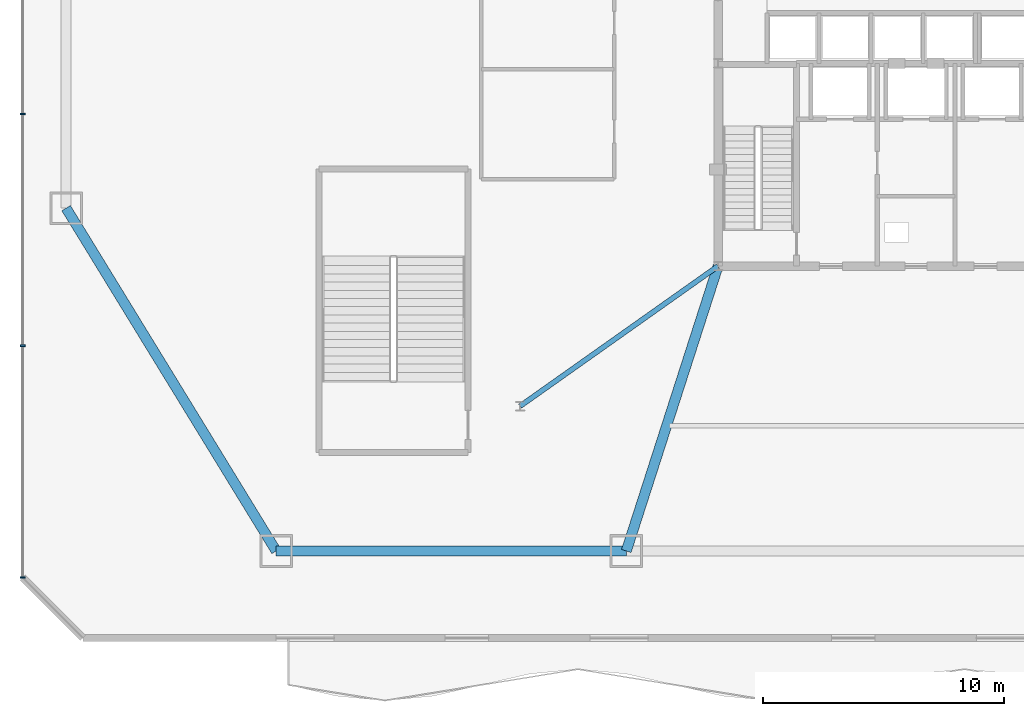
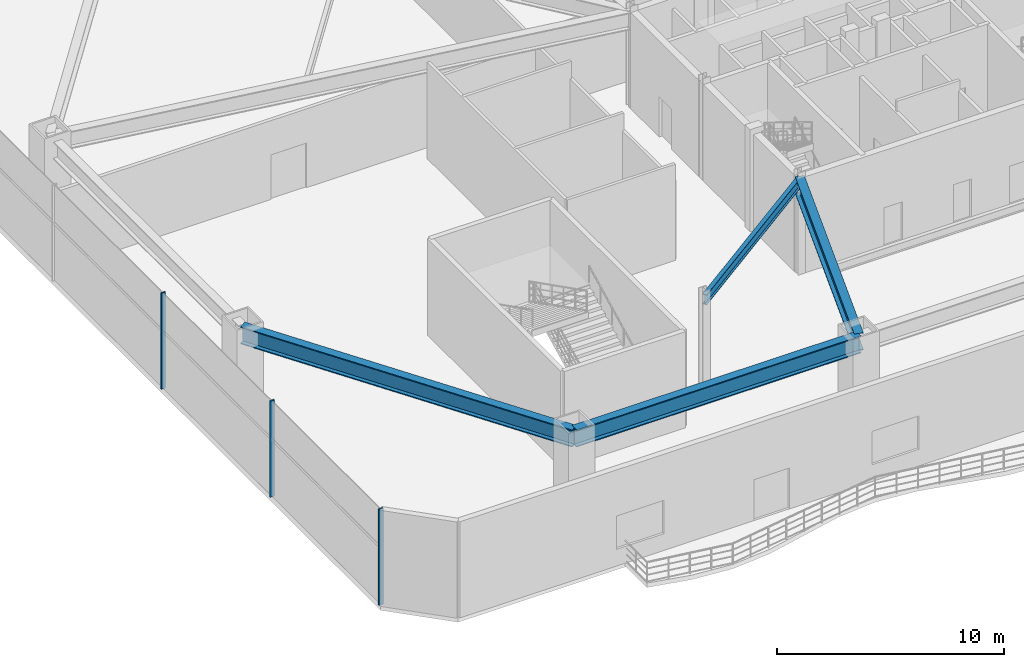
# One storey, part 5 of 20: 4 beams, 3 members, 1 element without a shape of its own.
"""IFC4 building model written with IfcOpenShell, lengths in metres."""

from ifc_helpers import new_model, si_unit, direction, frame, origin, origin_2d, place, context, subcontext, project, spatial, rectangle, i_section, extrude, source, transform, mapped, material, layer, layer_set, material_profile, profile_set, type_object, type_shapes, element, aggregate, save


model = new_model("IFC4")

# Units and contexts
model_context = context("Model", 3, precision=1e-05, world=origin(), true_north=direction((0.0, 1.0)))
body_context = subcontext(model_context, "Body", "Model", "MODEL_VIEW")
ifc_project = project(units=[si_unit("LENGTHUNIT", "METRE"), si_unit("AREAUNIT", "SQUARE_METRE"), si_unit("VOLUMEUNIT", "CUBIC_METRE"), si_unit("PLANEANGLEUNIT", "RADIAN"), si_unit("MASSUNIT", "GRAM", prefix="KILO")], contexts=[model_context])

# Site, building, storey
site_placement = place(None, origin())
site = spatial("IfcSite", under=ifc_project, at=site_placement, CompositionType="ELEMENT")
building_placement = place(site_placement, origin())
building = spatial("IfcBuilding", under=site, at=building_placement, Name="Varakhsha Concourse Tower", CompositionType="ELEMENT")
storey_placement = place(building_placement, frame((0.0, 0.0, 11.0)))
storey = spatial("IfcBuildingStorey", under=building, at=storey_placement, Name="L03", CompositionType="ELEMENT", Elevation=11.0)

# Beams
ifc_material_1 = material(Name="Structural Steel ASTM A992 Grade 50", Category="steel")
ifc_material_profile_1 = material_profile(ifc_material_1, i_section(OverallWidth=0.41796875, OverallDepth=0.927001953125, WebThickness=0.030029296875, FlangeThickness=0.051025390625, at=origin_2d()), Name="W36X231")
ifc_profile_set_1 = profile_set([ifc_material_profile_1], Name="Structural Steel ASTM A992 Grade 50")
beam_type_1 = type_object("IfcBeamType", Name="BM-HALL-W36X231", PredefinedType="USERDEFINED", material=ifc_profile_set_1)
beam_1_placement = place(storey_placement, frame((13.5, 4.60009765625, 4.716552734375), z_axis=(1.0, 0.0, 0.0), x_axis=(0.0, 1.0, 0.0)))
element("IfcBeam", 1, at=beam_1_placement, inside=storey, type_object=beam_type_1, Name="BM-PRING-L03-01", ObjectType="GIRDER", PredefinedType="USERDEFINED", context=body_context, shape_type="SweptSolid", body=[
    extrude(i_section(OverallWidth=0.41796875, OverallDepth=0.927001953125, WebThickness=0.030029296875, FlangeThickness=0.051025390625, at=origin_2d()), origin(), (0.0, 0.0, 1.0), 14.5),
])
beam_2_placement = place(storey_placement, frame((4.800048828125, 18.800048828125, 4.716552734375), z_axis=(0.522420415639, -0.852688049244, 0.0), x_axis=(0.852688049244, 0.522420415639, 0.0)))
element("IfcBeam", 2, at=beam_2_placement, inside=storey, type_object=beam_type_1, Name="BM-PRING-L03-12", ObjectType="GIRDER", PredefinedType="USERDEFINED", context=body_context, shape_type="SweptSolid", body=[
    extrude(i_section(OverallWidth=0.41796875, OverallDepth=0.927001953125, WebThickness=0.030029296875, FlangeThickness=0.051025390625, at=origin_2d()), origin(), (0.0, 0.0, 1.0), 16.653076171875),
])
beam_3_placement = place(storey_placement, frame((31.800048828125, 16.39990234375, 4.716552734375), z_axis=(-0.306539531823, -0.951857928175, 0.0), x_axis=(0.951857928175, -0.306539531823, 0.0)))
element("IfcBeam", 3, at=beam_3_placement, inside=storey, type_object=beam_type_1, Name="BM-PRAD-L03-02", ObjectType="GIRDER", PredefinedType="USERDEFINED", context=body_context, shape_type="SweptSolid", body=[
    extrude(i_section(OverallWidth=0.41796875, OverallDepth=0.927001953125, WebThickness=0.030029296875, FlangeThickness=0.051025390625, at=origin_2d()), origin(), (0.0, 0.0, 1.0), 12.396484375),
])
ifc_material_profile_2 = material_profile(ifc_material_1, i_section(OverallWidth=0.2109375, OverallDepth=0.5390625, WebThickness=0.011962890625, FlangeThickness=0.01904296875, at=origin_2d()), Name="W21X73")
ifc_profile_set_2 = profile_set([ifc_material_profile_2], Name="Structural Steel ASTM A992 Grade 50")
beam_type_2 = type_object("IfcBeamType", Name="BM-RAD-W21X73", PredefinedType="BEAM", material=ifc_profile_set_2)
beam_4_placement = place(storey_placement, frame((31.800048828125, 16.39990234375, 4.910400390625), z_axis=(-0.816423186202, -0.577454051014, 0.0), x_axis=(0.577454051014, -0.816423186202, 0.0)))
element("IfcBeam", 4, at=beam_4_placement, inside=storey, type_object=beam_type_2, Name="BM-CORE-L03-SSW", PredefinedType="BEAM", context=body_context, shape_type="SweptSolid", body=[
    extrude(i_section(OverallWidth=0.2109375, OverallDepth=0.5390625, WebThickness=0.011962890625, FlangeThickness=0.01904296875, at=origin_2d()), origin(), (0.0, 0.0, 1.0), 10.043701171875),
])

# Curtain wall, members
ifc_material_2 = material(Name="Anodised Bronze Architectural Aluminium AA 6063-T6", Category="aluminium")
ifc_layer = layer(ifc_material_2, 0.239990234375, Name="CW-SYS-01")
ifc_layer_set = layer_set([ifc_layer], Name="Anodised Bronze Architectural Aluminium AA 6063-T6")
curtain_wall_type = type_object("IfcCurtainWallType", Name="CW-SYS-01", PredefinedType="NOTDEFINED", material=ifc_layer_set)
curtain_wall_placement = place(storey_placement, origin())
curtain_wall = element("IfcCurtainWall", 5, at=curtain_wall_placement, inside=storey, type_object=curtain_wall_type, Name="L03 Podium Curtain Wall 07", PredefinedType="NOTDEFINED")
ifc_material_profile_3 = material_profile(ifc_material_2, rectangle(XDim=0.074951171875, YDim=0.219970703125, at=origin_2d()), Name="CWM-220X75")
ifc_profile_set_3 = profile_set([ifc_material_profile_3], Name="Anodised Bronze Architectural Aluminium AA 6063-T6")
member_type = type_object("IfcMemberType", Name="CWM-220X75", PredefinedType="MULLION", material=ifc_profile_set_3)
shared_shape = source(origin(), body_context, "Body", "SweptSolid", [
    extrude(rectangle(XDim=0.074951171875, YDim=0.219970703125, at=origin_2d()), origin(), (0.0, 0.0, 1.0), 5.179931640625),
])
type_shapes(member_type, [shared_shape])
member_1_placement = place(storey_placement, frame((3.0, 22.699951171875, 0.0), z_axis=(0.0, 0.0, 1.0), x_axis=(0.0, -1.0, 0.0)))
member_1 = element("IfcMember", 6, at=member_1_placement, type_object=member_type, Name="CW-POD-L03-07 Mullion 03", PredefinedType="MULLION", context=body_context, shape_type="MappedRepresentation", body=[
    mapped(shared_shape, transform((0.0, 0.0, 0.0), scale=1.0)),
])
member_2_placement = place(storey_placement, frame((3.0, 13.10009765625, 0.0), z_axis=(0.0, 0.0, 1.0), x_axis=(0.0, -1.0, 0.0)))
member_2 = element("IfcMember", 7, at=member_2_placement, type_object=member_type, Name="CW-POD-L03-07 Mullion 04", PredefinedType="MULLION", context=body_context, shape_type="MappedRepresentation", body=[
    mapped(shared_shape, transform((0.0, 0.0, 0.0), scale=1.0)),
])
member_3_placement = place(storey_placement, frame((3.0, 3.5, 0.0), z_axis=(0.0, 0.0, 1.0), x_axis=(0.0, -1.0, 0.0)))
member_3 = element("IfcMember", 8, at=member_3_placement, type_object=member_type, Name="CW-POD-L03-07 Mullion 05", PredefinedType="MULLION", context=body_context, shape_type="MappedRepresentation", body=[
    mapped(shared_shape, transform((0.0, 0.0, 0.0), scale=1.0)),
])
aggregate(curtain_wall, [member_1, member_2, member_3])

save(model, "model.ifc")
